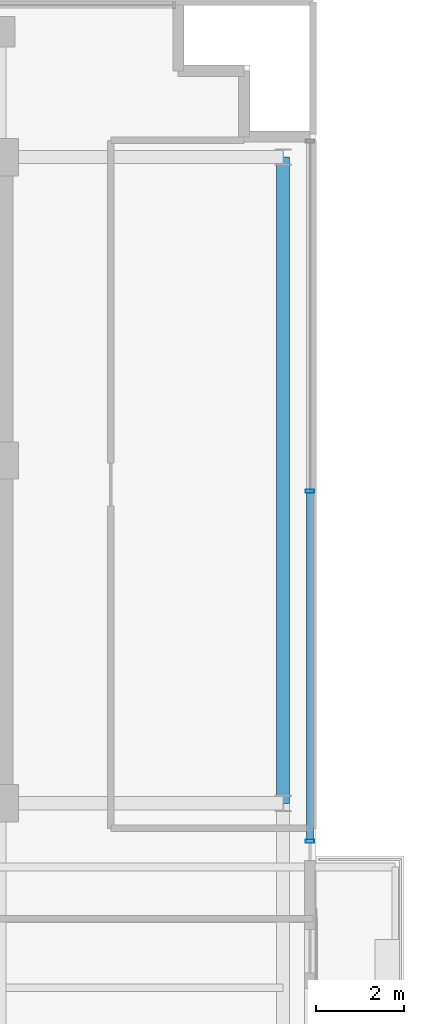
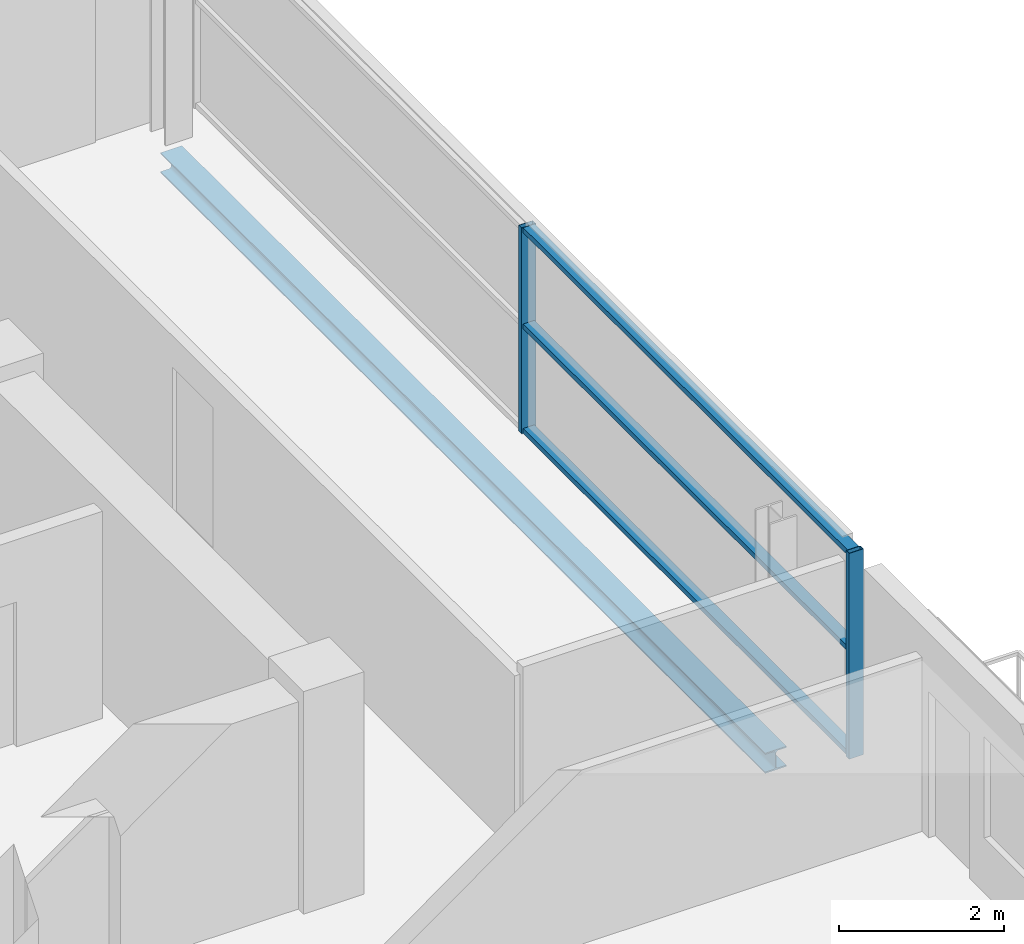
# One storey, part 15 of 29: 5 members, 1 beam, 1 element without a shape of its own.
"""IFC4 building model written with IfcOpenShell, lengths in metres."""

from ifc_helpers import new_model, si_unit, direction, frame, origin, origin_2d, place, context, subcontext, project, spatial, hollow_rectangle, i_section, extrude, source, transform, mapped, material, layer, layer_set, material_profile, profile_set, type_object, element, aggregate, save


model = new_model("IFC4")

# Units and contexts
model_context = context("Model", 3, precision=1e-05, world=origin(), true_north=direction((0.0, 1.0)))
body_context = subcontext(model_context, "Body", "Model", "MODEL_VIEW")
ifc_project = project(units=[si_unit("LENGTHUNIT", "METRE"), si_unit("AREAUNIT", "SQUARE_METRE"), si_unit("VOLUMEUNIT", "CUBIC_METRE"), si_unit("PLANEANGLEUNIT", "RADIAN"), si_unit("MASSUNIT", "GRAM", prefix="KILO")], contexts=[model_context])

# Site, building, storey
site_placement = place(None, origin())
site = spatial("IfcSite", under=ifc_project, at=site_placement, CompositionType="ELEMENT")
building_placement = place(site_placement, origin())
building = spatial("IfcBuilding", under=site, at=building_placement, Name="Zarnakvel Exchange Tower", CompositionType="ELEMENT")
storey_placement = place(building_placement, frame((0.0, 0.0, 265.0)))
storey = spatial("IfcBuildingStorey", under=building, at=storey_placement, Name="L75", CompositionType="ELEMENT", Elevation=265.0)

# Beam
ifc_material_1 = material(Name="Steel S355", Category="steel")
ifc_material_profile_1 = material_profile(ifc_material_1, i_section(OverallWidth=0.300048828125, OverallDepth=0.300048828125, WebThickness=0.010986328125, FlangeThickness=0.01904296875, FilletRadius=0.027099609375, at=origin_2d()))
ifc_profile_set_1 = profile_set([ifc_material_profile_1], Name="Steel S355")
beam_type = type_object("IfcBeamType", Name="SP-03", PredefinedType="SPANDREL", material=ifc_profile_set_1)
beam_placement = place(storey_placement, frame((20.85009765625, -1.199951171875, -0.375), z_axis=(0.0, 1.0, 0.0), x_axis=(-1.0, 0.0, 0.0)))
element("IfcBeam", 1, at=beam_placement, inside=storey, type_object=beam_type, Name="L75 Tower N-S Frame Beam", PredefinedType="SPANDREL", context=body_context, shape_type="SweptSolid", body=[
    extrude(i_section(OverallWidth=0.300048828125, OverallDepth=0.300048828125, WebThickness=0.010986328125, FlangeThickness=0.01904296875, FilletRadius=0.027099609375, at=origin_2d()), origin(), (0.0, 0.0, 1.0), 14.699951171875),
])

# Curtain wall, members
ifc_material_2 = material(Name="Architectural Bronze Anodised Aluminium", Category="aluminium")
ifc_layer = layer(ifc_material_2, 0.199951171875)
ifc_layer_set = layer_set([ifc_layer], Name="Architectural Bronze Anodised Aluminium")
curtain_wall_type = type_object("IfcCurtainWallType", Name="CW-04", PredefinedType="NOTDEFINED", material=ifc_layer_set)
curtain_wall_placement = place(storey_placement, origin())
curtain_wall = element("IfcCurtainWall", 2, at=curtain_wall_placement, inside=storey, type_object=curtain_wall_type, Name="L75 Curtain Wall CW-L75-EN (CW-04)", PredefinedType="NOTDEFINED")
ifc_material_profile_2 = material_profile(ifc_material_2, hollow_rectangle(XDim=0.199951171875, YDim=0.074951171875, WallThickness=0.0048828125, at=origin_2d()))
ifc_profile_set_2 = profile_set([ifc_material_profile_2], Name="Architectural Bronze Anodised Aluminium")
member_type_1 = type_object("IfcMemberType", Name="CWM-04", PredefinedType="MULLION", material=ifc_profile_set_2)
shared_shape_1 = source(origin(), body_context, "Body", "SweptSolid", [
    extrude(hollow_rectangle(XDim=0.199951171875, YDim=0.074951171875, WallThickness=0.0048828125, at=origin_2d()), origin(), (0.0, 0.0, 1.0), 3.054931640625),
])
member_1_placement = place(storey_placement, frame((21.4599609375, -2.0625, 0.0), z_axis=(0.0, 0.0, 1.0), x_axis=(-1.0, 0.0, 0.0)))
member_1 = element("IfcMember", 3, at=member_1_placement, type_object=member_type_1, Name="CW-04 mullion 1", PredefinedType="MULLION", context=body_context, shape_type="MappedRepresentation", body=[
    mapped(shared_shape_1, transform((0.0, 0.0, 0.0), x_axis=(1.0, 0.0, 0.0), y_axis=(0.0, 1.0, 0.0), z_axis=(0.0, 0.0, 1.0), scale=1.0)),
])
member_2_placement = place(storey_placement, frame((21.4599609375, 5.89990234375, 0.0), z_axis=(0.0, 0.0, 1.0), x_axis=(-1.0, 0.0, 0.0)))
member_2 = element("IfcMember", 4, at=member_2_placement, type_object=member_type_1, Name="CW-04 mullion 2", PredefinedType="MULLION", context=body_context, shape_type="MappedRepresentation", body=[
    mapped(shared_shape_1, transform((0.0, 0.0, 0.0), x_axis=(1.0, 0.0, 0.0), y_axis=(0.0, 1.0, 0.0), z_axis=(0.0, 0.0, 1.0), scale=1.0)),
])
ifc_material_profile_3 = material_profile(ifc_material_2, hollow_rectangle(XDim=0.159912109375, YDim=0.074951171875, WallThickness=0.00390625, at=origin_2d()))
ifc_profile_set_3 = profile_set([ifc_material_profile_3], Name="Architectural Bronze Anodised Aluminium")
member_type_2 = type_object("IfcMemberType", Name="CWT-04", PredefinedType="USERDEFINED", material=ifc_profile_set_3)
shared_shape_2 = source(origin(), body_context, "Body", "SweptSolid", [
    extrude(hollow_rectangle(XDim=0.159912109375, YDim=0.074951171875, WallThickness=0.00390625, at=origin_2d()), origin(), (0.0, 0.0, 1.0), 7.887451171875),
])
member_3_placement = place(storey_placement, frame((21.4599609375, -2.02490234375, 0.03759765625), z_axis=(0.0, 1.0, 0.0), x_axis=(-1.0, 0.0, 0.0)))
member_3 = element("IfcMember", 5, at=member_3_placement, type_object=member_type_2, Name="CW-04 transom 1.1", ObjectType="TRANSOM", PredefinedType="USERDEFINED", context=body_context, shape_type="MappedRepresentation", body=[
    mapped(shared_shape_2, transform((0.0, 0.0, 0.0), x_axis=(1.0, 0.0, 0.0), y_axis=(0.0, 1.0, 0.0), z_axis=(0.0, 0.0, 1.0), scale=1.0)),
])
member_4_placement = place(storey_placement, frame((21.4599609375, -2.02490234375, 1.588623046875), z_axis=(0.0, 1.0, 0.0), x_axis=(-1.0, 0.0, 0.0)))
member_4 = element("IfcMember", 6, at=member_4_placement, type_object=member_type_2, Name="CW-04 transom 1.2", ObjectType="TRANSOM", PredefinedType="USERDEFINED", context=body_context, shape_type="MappedRepresentation", body=[
    mapped(shared_shape_2, transform((0.0, 0.0, 0.0), x_axis=(1.0, 0.0, 0.0), y_axis=(0.0, 1.0, 0.0), z_axis=(0.0, 0.0, 1.0), scale=1.0)),
])
member_5_placement = place(storey_placement, frame((21.4599609375, -2.02490234375, 3.017578125), z_axis=(0.0, 1.0, 0.0), x_axis=(-1.0, 0.0, 0.0)))
member_5 = element("IfcMember", 7, at=member_5_placement, type_object=member_type_2, Name="CW-04 transom 1.3", ObjectType="TRANSOM", PredefinedType="USERDEFINED", context=body_context, shape_type="MappedRepresentation", body=[
    mapped(shared_shape_2, transform((0.0, 0.0, 0.0), x_axis=(1.0, 0.0, 0.0), y_axis=(0.0, 1.0, 0.0), z_axis=(0.0, 0.0, 1.0), scale=1.0)),
])
aggregate(curtain_wall, [member_1, member_2, member_3, member_4, member_5])

save(model, "model.ifc")
